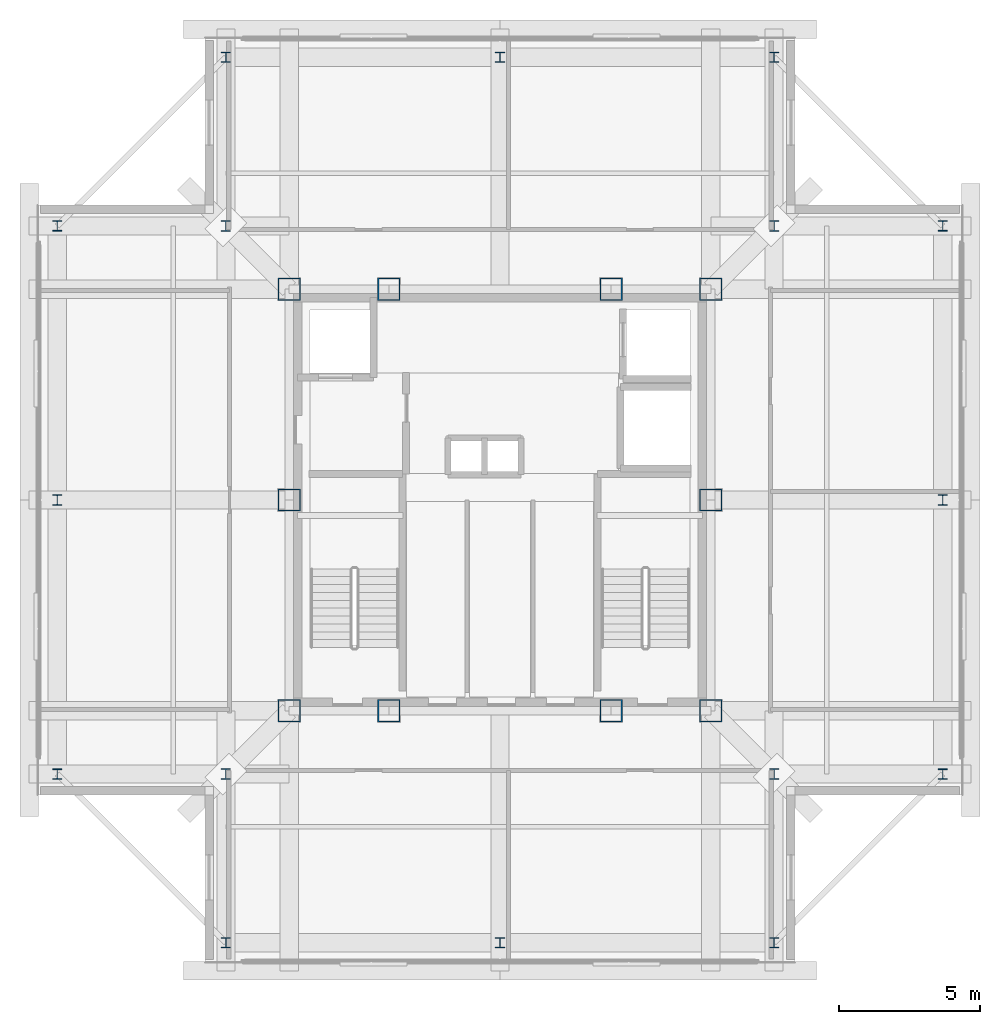
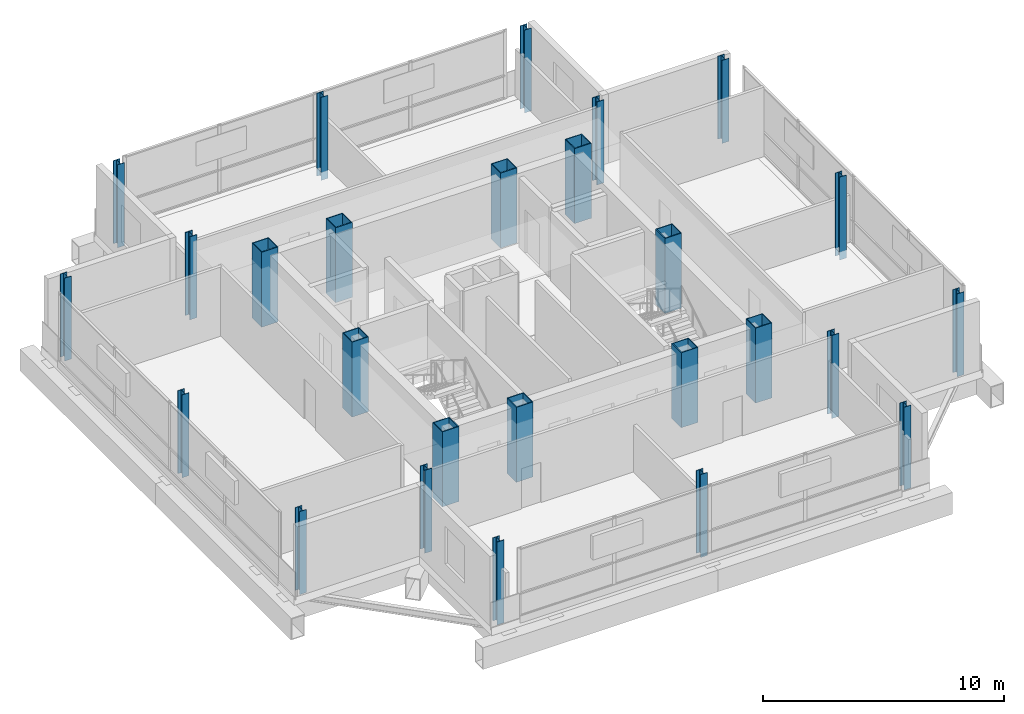
# One storey, part 1 of 12: 26 columns.
"""IFC4 building model written with IfcOpenShell, lengths in metres."""

from ifc_helpers import new_model, si_unit, direction, frame, origin, origin_2d, place, context, subcontext, project, spatial, hollow_rectangle, i_section, extrude, material, material_profile, profile_set, type_object, element, save


model = new_model("IFC4")

# Units and contexts
model_context = context("Model", 3, precision=1e-05, world=origin(), true_north=direction((0.0, 1.0)))
body_context = subcontext(model_context, "Body", "Model", "MODEL_VIEW")
ifc_project = project(units=[si_unit("LENGTHUNIT", "METRE"), si_unit("AREAUNIT", "SQUARE_METRE"), si_unit("VOLUMEUNIT", "CUBIC_METRE"), si_unit("PLANEANGLEUNIT", "RADIAN"), si_unit("MASSUNIT", "GRAM", prefix="KILO")], contexts=[model_context])

# Site, building, storey
site_placement = place(None, origin())
site = spatial("IfcSite", under=ifc_project, at=site_placement, CompositionType="ELEMENT")
building_placement = place(site_placement, origin())
building = spatial("IfcBuilding", under=site, at=building_placement, Name="Trevonay Congress Spire", CompositionType="ELEMENT")
storey_placement = place(building_placement, frame((0.0, 0.0, 308.39990234375)))
storey = spatial("IfcBuildingStorey", under=building, at=storey_placement, Name="L81", CompositionType="ELEMENT", Elevation=308.39990234375)

# Columns
ifc_material = material(Name="Steel ASTM A572 Grade 50", Category="steel")
ifc_material_profile_1 = material_profile(ifc_material, hollow_rectangle(XDim=0.800048828125, YDim=0.800048828125, WallThickness=0.0400390625, at=origin_2d()), Name="BOX 800x800x40")
ifc_profile_set_1 = profile_set([ifc_material_profile_1], Name="Steel ASTM A572 Grade 50")
column_type_1 = type_object("IfcColumnType", Name="COL-CORE-BOX800", PredefinedType="COLUMN", material=ifc_profile_set_1)
for number, where, z_axis, x_axis, name in (
    (1, (-7.5, -7.5, 0.0), (0.0, 0.0, 1.0), (1.0, 0.0, 0.0), "L81 column C05 at CC-SW"),
    (2, (-3.949951171875, -7.5, 0.0), (0.0, 0.0, 1.0), (1.0, 0.0, 0.0), "L81 column C05 at CC-SMW"),
    (3, (3.949951171875, -7.5, 0.0), (0.0, 0.0, 1.0), (1.0, 0.0, 0.0), "L81 column C05 at CC-SME"),
    (4, (7.5, -7.5, 0.0), (0.0, 0.0, 1.0), (1.0, 0.0, 0.0), "L81 column C05 at CC-SE"),
    (5, (7.5, 0.0, 0.0), (0.0, 0.0, 1.0), (1.0, 0.0, 0.0), "L81 column C05 at CC-E"),
    (6, (7.5, 7.5, 0.0), (0.0, 0.0, 1.0), (1.0, 0.0, 0.0), "L81 column C05 at CC-NE"),
    (7, (3.949951171875, 7.5, 0.0), (0.0, 0.0, 1.0), (1.0, 0.0, 0.0), "L81 column C05 at CC-NME"),
    (8, (-3.949951171875, 7.5, 0.0), (0.0, 0.0, 1.0), (1.0, 0.0, 0.0), "L81 column C05 at CC-NMW"),
    (9, (-7.5, 7.5, 0.0), (0.0, 0.0, 1.0), (1.0, 0.0, 0.0), "L81 column C05 at CC-NW"),
    (10, (-7.5, 0.0, 0.0), (0.0, 0.0, 1.0), (1.0, 0.0, 0.0), "L81 column C05 at CC-W"),
):
    element("IfcColumn", number, at=place(storey_placement, frame(where, z_axis=z_axis, x_axis=x_axis)), inside=storey, type_object=column_type_1, Name=name, PredefinedType="COLUMN", context=body_context, shape_type="SweptSolid", body=[
        extrude(hollow_rectangle(XDim=0.800048828125, YDim=0.800048828125, WallThickness=0.0400390625, at=origin_2d()), origin(), (0.0, 0.0, 1.0), 3.800048828125),
    ])
ifc_material_profile_2 = material_profile(ifc_material, i_section(OverallWidth=0.322021484375, OverallDepth=0.3720703125, WebThickness=0.014404296875, FlangeThickness=0.023681640625, FilletRadius=0.02001953125, at=origin_2d()), Name="W360x196")
ifc_profile_set_2 = profile_set([ifc_material_profile_2], Name="Steel ASTM A572 Grade 50")
column_type_2 = type_object("IfcColumnType", Name="COL-CROWN-W360X196", PredefinedType="COLUMN", material=ifc_profile_set_2)
for number, where, z_axis, x_axis, name in (
    (11, (-9.75, -15.75, -0.39990234375), (0.0, 0.0, 1.0), (1.0, 0.0, 0.0), "L81 column C18 at TS-1"),
    (12, (-9.75, 15.75, -0.39990234375), (0.0, 0.0, 1.0), (1.0, 0.0, 0.0), "L81 column C18 at TN-1"),
    (13, (-15.75, -9.75, -0.39990234375), (0.0, 0.0, 1.0), (1.0, 0.0, 0.0), "L81 column C18 at TW-1"),
    (14, (15.75, -9.75, -0.39990234375), (0.0, 0.0, 1.0), (1.0, 0.0, 0.0), "L81 column C18 at TE-1"),
    (15, (0.0, -15.75, -0.39990234375), (0.0, 0.0, 1.0), (1.0, 0.0, 0.0), "L81 column C18 at TS-2"),
    (16, (0.0, 15.75, -0.39990234375), (0.0, 0.0, 1.0), (1.0, 0.0, 0.0), "L81 column C18 at TN-2"),
    (17, (-15.75, 0.0, -0.39990234375), (0.0, 0.0, 1.0), (1.0, 0.0, 0.0), "L81 column C18 at TW-2"),
    (18, (15.75, 0.0, -0.39990234375), (0.0, 0.0, 1.0), (1.0, 0.0, 0.0), "L81 column C18 at TE-2"),
    (19, (9.75, -15.75, -0.39990234375), (0.0, 0.0, 1.0), (1.0, 0.0, 0.0), "L81 column C18 at TS-3"),
    (20, (9.75, 15.75, -0.39990234375), (0.0, 0.0, 1.0), (1.0, 0.0, 0.0), "L81 column C18 at TN-3"),
    (21, (-15.75, 9.75, -0.39990234375), (0.0, 0.0, 1.0), (1.0, 0.0, 0.0), "L81 column C18 at TW-3"),
    (22, (15.75, 9.75, -0.39990234375), (0.0, 0.0, 1.0), (1.0, 0.0, 0.0), "L81 column C18 at TE-3"),
):
    element("IfcColumn", number, at=place(storey_placement, frame(where, z_axis=z_axis, x_axis=x_axis)), inside=storey, type_object=column_type_2, Name=name, PredefinedType="COLUMN", context=body_context, shape_type="SweptSolid", body=[
        extrude(i_section(OverallWidth=0.322021484375, OverallDepth=0.3720703125, WebThickness=0.014404296875, FlangeThickness=0.023681640625, FilletRadius=0.02001953125, at=origin_2d()), origin(), (0.0, 0.0, 1.0), 4.199951171875),
    ])
ifc_material_profile_3 = material_profile(ifc_material, i_section(OverallWidth=0.340087890625, OverallDepth=0.39306640625, WebThickness=0.020263671875, FlangeThickness=0.033203125, FilletRadius=0.02001953125, at=origin_2d()), Name="W360x287")
ifc_profile_set_3 = profile_set([ifc_material_profile_3], Name="Steel ASTM A572 Grade 50")
column_type_3 = type_object("IfcColumnType", Name="COL-CROWN-W360X287", PredefinedType="COLUMN", material=ifc_profile_set_3)
for number, where, z_axis, x_axis, name in (
    (23, (-9.75, -9.75, -0.39990234375), (0.0, 0.0, 1.0), (1.0, 0.0, 0.0), "L81 column C20 at NC-SW"),
    (24, (9.75, -9.75, -0.39990234375), (0.0, 0.0, 1.0), (1.0, 0.0, 0.0), "L81 column C20 at NC-SE"),
    (25, (9.75, 9.75, -0.39990234375), (0.0, 0.0, 1.0), (1.0, 0.0, 0.0), "L81 column C20 at NC-NE"),
    (26, (-9.75, 9.75, -0.39990234375), (0.0, 0.0, 1.0), (1.0, 0.0, 0.0), "L81 column C20 at NC-NW"),
):
    element("IfcColumn", number, at=place(storey_placement, frame(where, z_axis=z_axis, x_axis=x_axis)), inside=storey, type_object=column_type_3, Name=name, PredefinedType="COLUMN", context=body_context, shape_type="SweptSolid", body=[
        extrude(i_section(OverallWidth=0.340087890625, OverallDepth=0.39306640625, WebThickness=0.020263671875, FlangeThickness=0.033203125, FilletRadius=0.02001953125, at=origin_2d()), origin(), (0.0, 0.0, 1.0), 4.199951171875),
    ])

save(model, "model.ifc")
